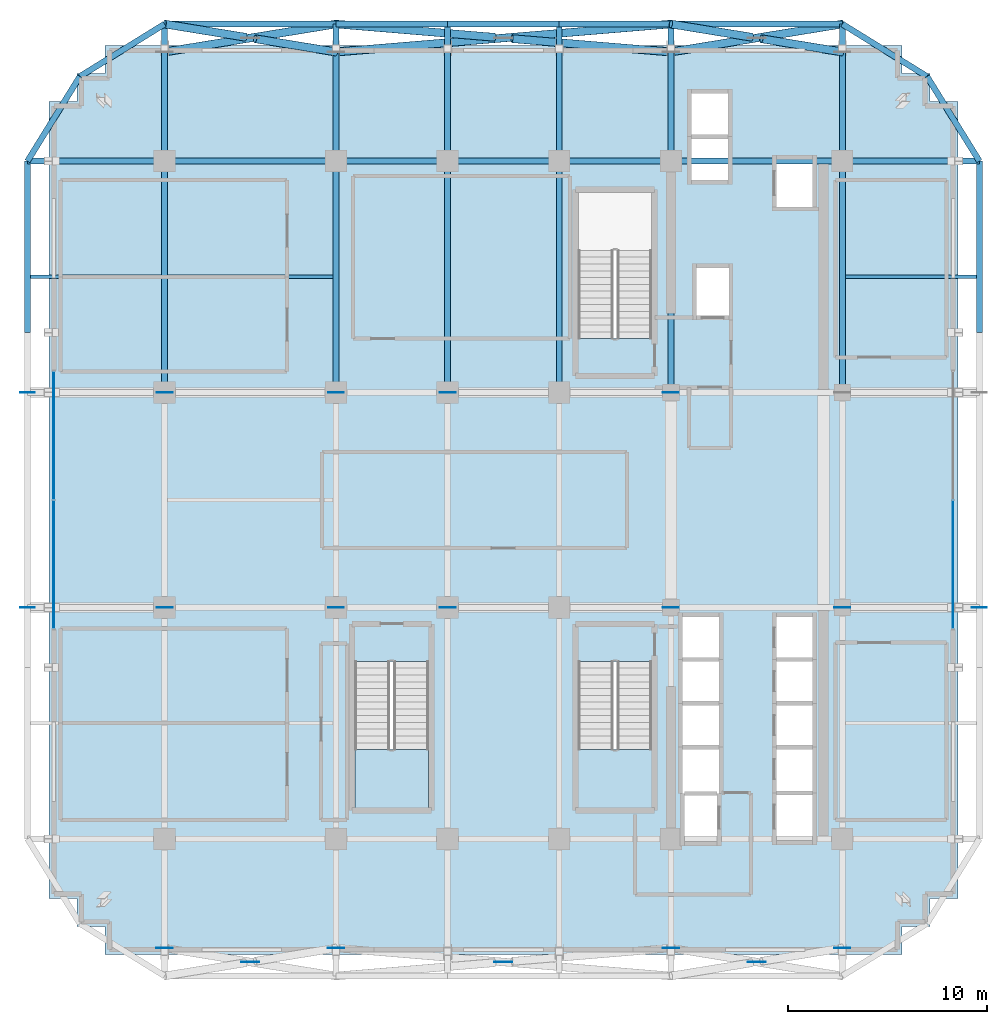
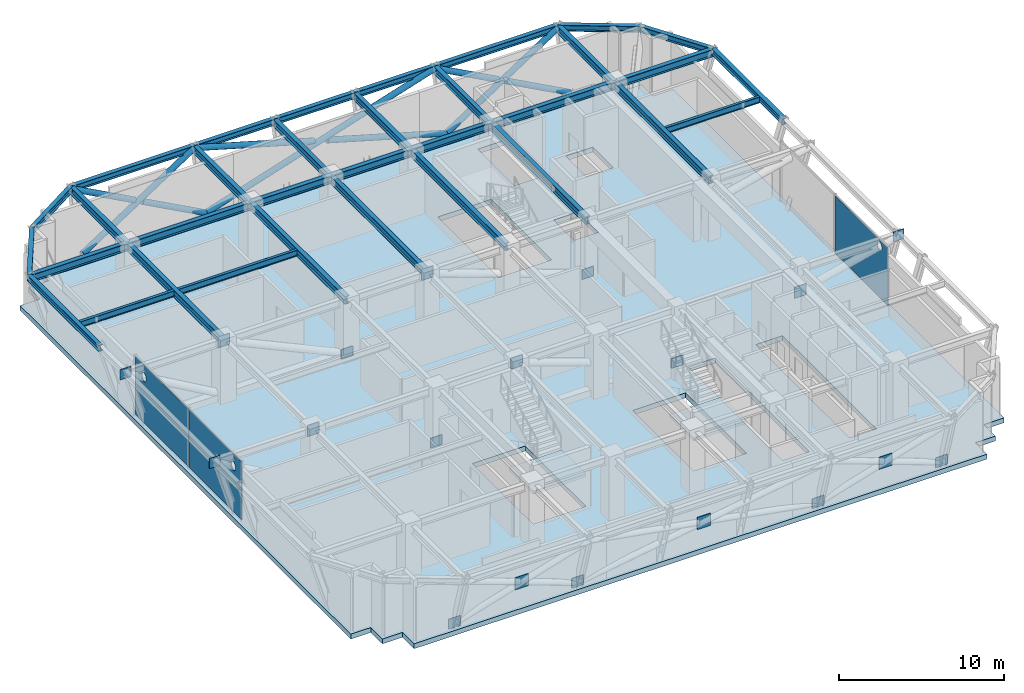
# One storey, part 8 of 16: 33 beams, 22 plates, 9 members, 3 slabs, 4 elements without a shape of their own.
"""IFC4 building model written with IfcOpenShell, lengths in metres."""

from ifc_helpers import new_model, si_unit, direction, frame, origin, origin_2d, place, context, subcontext, project, spatial, polyline, rectangle, hollow_circle, i_section, outline, extrude, source, transform, mapped, material, layer, layer_set, material_profile, profile_set, type_object, element, aggregate, save


model = new_model("IFC4")

# Units and contexts
model_context = context("Model", 3, precision=1e-05, world=origin(), true_north=direction((0.0, 1.0)))
body_context = subcontext(model_context, "Body", "Model", "MODEL_VIEW")
ifc_project = project(units=[si_unit("LENGTHUNIT", "METRE"), si_unit("AREAUNIT", "SQUARE_METRE"), si_unit("VOLUMEUNIT", "CUBIC_METRE"), si_unit("PLANEANGLEUNIT", "RADIAN"), si_unit("MASSUNIT", "GRAM", prefix="KILO")], contexts=[model_context])

# Site, building, storey
site_placement = place(None, origin())
site = spatial("IfcSite", under=ifc_project, at=site_placement, CompositionType="ELEMENT")
building_placement = place(site_placement, origin())
building = spatial("IfcBuilding", under=site, at=building_placement, Name="Nahalor Promenade Grand Hotel", CompositionType="ELEMENT")
storey_placement = place(building_placement, frame((0.0, 0.0, 200.10009765625)))
storey = spatial("IfcBuildingStorey", under=building, at=storey_placement, Name="L51", CompositionType="ELEMENT", Elevation=200.10009765625)

# Beams
ifc_material_1 = material(Name="Steel S355JR", Category="steel")
ifc_material_profile_1 = material_profile(ifc_material_1, i_section(OverallWidth=0.3, OverallDepth=0.55, WebThickness=0.015, FlangeThickness=0.029, at=origin_2d()), Name="HEB 550")
ifc_profile_set_1 = profile_set([ifc_material_profile_1], Name="Steel S355JR")
beam_type_1 = type_object("IfcBeamType", Name="Beam-Girder-HEB550", PredefinedType="BEAM", material=ifc_profile_set_1)
shared_shape_1 = source(origin(), body_context, "Body", "SweptSolid", [
    extrude(i_section(OverallWidth=0.3, OverallDepth=0.55, WebThickness=0.015, FlangeThickness=0.029, at=origin_2d()), origin(), (0.0, 0.0, 1.0), 8.60009765625),
])
for number, where, z_axis, x_axis, name in (
    (1, (-17.0, 17.0, 4.23486328125), (1.0, 0.0, 0.0), (0.0, 1.0, 0.0), "BM-L51-GX-3-1"),
    (2, (8.39990234375, 17.0, 4.23486328125), (1.0, 0.0, 0.0), (0.0, 1.0, 0.0), "BM-L51-GX-3-5"),
):
    element("IfcBeam", number, at=place(storey_placement, frame(where, z_axis=z_axis, x_axis=x_axis)), inside=storey, type_object=beam_type_1, Name=name, PredefinedType="BEAM", context=body_context, shape_type="MappedRepresentation", body=[
        mapped(shared_shape_1, transform((0.0, 0.0, 0.0), scale=1.0)),
    ])
shared_shape_2 = source(origin(), body_context, "Body", "SweptSolid", [
    extrude(i_section(OverallWidth=0.3, OverallDepth=0.55, WebThickness=0.015, FlangeThickness=0.029, at=origin_2d()), origin(), (0.0, 0.0, 1.0), 5.599853515625),
])
for number, where, z_axis, x_axis, name in (
    (3, (-8.39990234375, 17.0, 4.23486328125), (1.0, 0.0, 0.0), (0.0, 1.0, 0.0), "BM-L51-GX-3-2"),
    (4, (2.800048828125, 17.0, 4.23486328125), (1.0, 0.0, 0.0), (0.0, 1.0, 0.0), "BM-L51-GX-3-4"),
):
    element("IfcBeam", number, at=place(storey_placement, frame(where, z_axis=z_axis, x_axis=x_axis)), inside=storey, type_object=beam_type_1, Name=name, PredefinedType="BEAM", context=body_context, shape_type="MappedRepresentation", body=[
        mapped(shared_shape_2, transform((0.0, 0.0, 0.0), scale=1.0)),
    ])
shared_shape_3 = source(origin(), body_context, "Body", "SweptSolid", [
    extrude(i_section(OverallWidth=0.3, OverallDepth=0.55, WebThickness=0.015, FlangeThickness=0.029, at=origin_2d()), origin(), (0.0, 0.0, 1.0), 5.60009765625),
])
beam_1_placement = place(storey_placement, frame((-2.800048828125, 17.0, 4.23486328125), z_axis=(1.0, 0.0, 0.0), x_axis=(0.0, 1.0, 0.0)))
element("IfcBeam", 5, at=beam_1_placement, inside=storey, type_object=beam_type_1, Name="BM-L51-GX-3-3", PredefinedType="BEAM", context=body_context, shape_type="MappedRepresentation", body=[
    mapped(shared_shape_3, transform((0.0, 0.0, 0.0), scale=1.0)),
])
shared_shape_4 = source(origin(), body_context, "Body", "SweptSolid", [
    extrude(i_section(OverallWidth=0.3, OverallDepth=0.55, WebThickness=0.015, FlangeThickness=0.029, at=origin_2d()), origin(), (0.0, 0.0, 1.0), 11.60009765625),
])
for number, where, z_axis, x_axis, name in (
    (6, (-17.0, 5.39990234375, 4.23486328125), (0.0, 1.0, 0.0), (-1.0, 0.0, 0.0), "BM-L51-GY-0-3"),
    (7, (-8.39990234375, 5.39990234375, 4.23486328125), (0.0, 1.0, 0.0), (-1.0, 0.0, 0.0), "BM-L51-GY-1-3"),
    (8, (-2.800048828125, 5.39990234375, 4.23486328125), (0.0, 1.0, 0.0), (-1.0, 0.0, 0.0), "BM-L51-GY-2-3"),
    (9, (2.800048828125, 5.39990234375, 4.23486328125), (0.0, 1.0, 0.0), (-1.0, 0.0, 0.0), "BM-L51-GY-3-3"),
    (10, (8.39990234375, 5.39990234375, 4.23486328125), (0.0, 1.0, 0.0), (-1.0, 0.0, 0.0), "BM-L51-GY-4-3"),
    (11, (17.0, 5.39990234375, 4.23486328125), (0.0, 1.0, 0.0), (-1.0, 0.0, 0.0), "BM-L51-GY-5-3"),
):
    element("IfcBeam", number, at=place(storey_placement, frame(where, z_axis=z_axis, x_axis=x_axis)), inside=storey, type_object=beam_type_1, Name=name, PredefinedType="BEAM", context=body_context, shape_type="MappedRepresentation", body=[
        mapped(shared_shape_4, transform((0.0, 0.0, 0.0), scale=1.0)),
    ])
ifc_material_profile_2 = material_profile(ifc_material_1, i_section(OverallWidth=0.19, OverallDepth=0.45, WebThickness=0.0094, FlangeThickness=0.0146, at=origin_2d()), Name="IPE 450")
ifc_profile_set_2 = profile_set([ifc_material_profile_2], Name="Steel S355JR")
beam_type_2 = type_object("IfcBeamType", Name="Beam-Joist-IPE450", PredefinedType="JOIST", material=ifc_profile_set_2)
shared_shape_5 = source(origin(), body_context, "Body", "SweptSolid", [
    extrude(i_section(OverallWidth=0.19, OverallDepth=0.45, WebThickness=0.0094, FlangeThickness=0.0146, at=origin_2d()), origin(), (0.0, 0.0, 1.0), 8.300048828125),
])
beam_2_placement = place(storey_placement, frame((-16.85009765625, 11.199951171875, 4.284912109375), z_axis=(1.0, 0.0, 0.0), x_axis=(0.0, 1.0, 0.0)))
element("IfcBeam", 12, at=beam_2_placement, inside=storey, type_object=beam_type_2, Name="BM-L51-JSW-1-1", PredefinedType="JOIST", context=body_context, shape_type="MappedRepresentation", body=[
    mapped(shared_shape_5, transform((0.0, 0.0, 0.0), scale=1.0)),
])
ifc_material_profile_3 = material_profile(ifc_material_1, i_section(OverallWidth=0.3, OverallDepth=0.45, WebThickness=0.014, FlangeThickness=0.026, at=origin_2d()), Name="HEB 450")
ifc_profile_set_3 = profile_set([ifc_material_profile_3], Name="Steel S355JR")
beam_type_3 = type_object("IfcBeamType", Name="Beam-Spandrel-HEB450", PredefinedType="SPANDREL", material=ifc_profile_set_3)
shared_shape_6 = source(origin(), body_context, "Body", "SweptSolid", [
    extrude(i_section(OverallWidth=0.3, OverallDepth=0.45, WebThickness=0.014, FlangeThickness=0.026, at=origin_2d()), origin(), (0.0, 0.0, 1.0), 8.60009765625),
])
for number, where, z_axis, x_axis, name in (
    (13, (-17.0, 23.8798828125, 4.284912109375), (1.0, 0.0, 0.0), (0.0, 1.0, 0.0), "BM-L51-SP-N-0"),
    (14, (8.39990234375, 23.8798828125, 4.284912109375), (1.0, 0.0, 0.0), (0.0, 1.0, 0.0), "BM-L51-SP-N-4"),
    (15, (-23.8798828125, 8.39990234375, 4.284912109375), (0.0, 1.0, 0.0), (-1.0, 0.0, 0.0), "BM-L51-SP-W-4"),
    (16, (23.8798828125, 8.39990234375, 4.284912109375), (0.0, 1.0, 0.0), (-1.0, 0.0, 0.0), "BM-L51-SP-E-4"),
):
    element("IfcBeam", number, at=place(storey_placement, frame(where, z_axis=z_axis, x_axis=x_axis)), inside=storey, type_object=beam_type_3, Name=name, PredefinedType="SPANDREL", context=body_context, shape_type="MappedRepresentation", body=[
        mapped(shared_shape_6, transform((0.0, 0.0, 0.0), scale=1.0)),
    ])
shared_shape_7 = source(origin(), body_context, "Body", "SweptSolid", [
    extrude(i_section(OverallWidth=0.3, OverallDepth=0.45, WebThickness=0.014, FlangeThickness=0.026, at=origin_2d()), origin(), (0.0, 0.0, 1.0), 5.599853515625),
])
for number, where, z_axis, x_axis, name in (
    (17, (-8.39990234375, 23.8798828125, 4.284912109375), (1.0, 0.0, 0.0), (0.0, 1.0, 0.0), "BM-L51-SP-N-1"),
    (18, (2.800048828125, 23.8798828125, 4.284912109375), (1.0, 0.0, 0.0), (0.0, 1.0, 0.0), "BM-L51-SP-N-3"),
):
    element("IfcBeam", number, at=place(storey_placement, frame(where, z_axis=z_axis, x_axis=x_axis)), inside=storey, type_object=beam_type_3, Name=name, PredefinedType="SPANDREL", context=body_context, shape_type="MappedRepresentation", body=[
        mapped(shared_shape_7, transform((0.0, 0.0, 0.0), scale=1.0)),
    ])
shared_shape_8 = source(origin(), body_context, "Body", "SweptSolid", [
    extrude(i_section(OverallWidth=0.3, OverallDepth=0.45, WebThickness=0.014, FlangeThickness=0.026, at=origin_2d()), origin(), (0.0, 0.0, 1.0), 5.60009765625),
])
beam_3_placement = place(storey_placement, frame((-2.800048828125, 23.8798828125, 4.284912109375), z_axis=(1.0, 0.0, 0.0), x_axis=(0.0, 1.0, 0.0)))
element("IfcBeam", 19, at=beam_3_placement, inside=storey, type_object=beam_type_3, Name="BM-L51-SP-N-2", PredefinedType="SPANDREL", context=body_context, shape_type="MappedRepresentation", body=[
    mapped(shared_shape_8, transform((0.0, 0.0, 0.0), scale=1.0)),
])
shared_shape_9 = source(origin(), body_context, "Body", "SweptSolid", [
    extrude(i_section(OverallWidth=0.3, OverallDepth=0.55, WebThickness=0.015, FlangeThickness=0.029, at=origin_2d()), origin(), (0.0, 0.0, 1.0), 6.8798828125),
])
for number, where, z_axis, x_axis, name in (
    (20, (-23.8798828125, 17.0, 4.23486328125), (1.0, 0.0, 0.0), (0.0, 1.0, 0.0), "BM-L51-GX-3-0"),
    (21, (17.0, 17.0, 4.23486328125), (1.0, 0.0, 0.0), (0.0, 1.0, 0.0), "BM-L51-GX-3-6"),
    (22, (-17.0, 17.0, 4.23486328125), (0.0, 1.0, 0.0), (-1.0, 0.0, 0.0), "BM-L51-GY-0-4"),
    (23, (-8.39990234375, 17.0, 4.23486328125), (0.0, 1.0, 0.0), (-1.0, 0.0, 0.0), "BM-L51-GY-1-4"),
    (24, (-2.800048828125, 17.0, 4.23486328125), (0.0, 1.0, 0.0), (-1.0, 0.0, 0.0), "BM-L51-GY-2-4"),
    (25, (2.800048828125, 17.0, 4.23486328125), (0.0, 1.0, 0.0), (-1.0, 0.0, 0.0), "BM-L51-GY-3-4"),
    (26, (8.39990234375, 17.0, 4.23486328125), (0.0, 1.0, 0.0), (-1.0, 0.0, 0.0), "BM-L51-GY-4-4"),
    (27, (17.0, 17.0, 4.23486328125), (0.0, 1.0, 0.0), (-1.0, 0.0, 0.0), "BM-L51-GY-5-4"),
):
    element("IfcBeam", number, at=place(storey_placement, frame(where, z_axis=z_axis, x_axis=x_axis)), inside=storey, type_object=beam_type_1, Name=name, PredefinedType="BEAM", context=body_context, shape_type="MappedRepresentation", body=[
        mapped(shared_shape_9, transform((0.0, 0.0, 0.0), scale=1.0)),
    ])
shared_shape_10 = source(origin(), body_context, "Body", "SweptSolid", [
    extrude(i_section(OverallWidth=0.3, OverallDepth=0.45, WebThickness=0.014, FlangeThickness=0.026, at=origin_2d()), origin(), (0.0, 0.0, 1.0), 4.997802734375),
])
for number, where, z_axis, x_axis, name in (
    (28, (-17.0, 23.8798828125, 4.284912109375), (-0.850360908404, -0.526199891161, 0.0), (0.526199891161, -0.850360908404, 0.0), "BM-L51-SPC-NW-1"),
    (29, (-21.25, 21.25, 4.284912109375), (-0.526199891161, -0.850360908404, 0.0), (0.850360908404, -0.526199891161, 0.0), "BM-L51-SPC-NW-2"),
    (30, (17.0, 23.8798828125, 4.284912109375), (0.850360908404, -0.526199891161, 0.0), (0.526199891161, 0.850360908404, 0.0), "BM-L51-SPC-NE-1"),
    (31, (21.25, 21.25, 4.284912109375), (0.526199891161, -0.850360908404, 0.0), (0.850360908404, 0.526199891161, 0.0), "BM-L51-SPC-NE-2"),
):
    element("IfcBeam", number, at=place(storey_placement, frame(where, z_axis=z_axis, x_axis=x_axis)), inside=storey, type_object=beam_type_3, Name=name, PredefinedType="SPANDREL", context=body_context, shape_type="MappedRepresentation", body=[
        mapped(shared_shape_10, transform((0.0, 0.0, 0.0), scale=1.0)),
    ])
shared_shape_11 = source(origin(), body_context, "Body", "SweptSolid", [
    extrude(i_section(OverallWidth=0.19, OverallDepth=0.45, WebThickness=0.0094, FlangeThickness=0.0146, at=origin_2d()), origin(), (0.0, 0.0, 1.0), 6.580078125),
])
for number, where, z_axis, x_axis, name in (
    (32, (-23.72998046875, 11.199951171875, 4.284912109375), (1.0, 0.0, 0.0), (0.0, 1.0, 0.0), "BM-L51-JSW-1-0"),
    (33, (17.14990234375, 11.199951171875, 4.284912109375), (1.0, 0.0, 0.0), (0.0, 1.0, 0.0), "BM-L51-JSE-1-2"),
):
    element("IfcBeam", number, at=place(storey_placement, frame(where, z_axis=z_axis, x_axis=x_axis)), inside=storey, type_object=beam_type_2, Name=name, PredefinedType="JOIST", context=body_context, shape_type="MappedRepresentation", body=[
        mapped(shared_shape_11, transform((0.0, 0.0, 0.0), scale=1.0)),
    ])

# Members
ifc_material_2 = material(Name="Steel S355J2", Category="steel")
ifc_material_profile_4 = material_profile(ifc_material_2, hollow_circle(Radius=0.2032, WallThickness=0.02, at=origin_2d()), Name="CHS 406.4x20")
ifc_profile_set_4 = profile_set([ifc_material_profile_4], Name="Steel S355J2")
member_type = type_object("IfcMemberType", Name="Mem-BeltDiag-CHS406", PredefinedType="BRACE", material=ifc_profile_set_4)
shared_shape_12 = source(origin(), body_context, "Body", "SweptSolid", [
    extrude(hollow_circle(Radius=0.2032, WallThickness=0.02, at=origin_2d()), origin(), (0.0, 0.0, 1.0), 9.56689453125),
])
for number, where, z_axis, x_axis, name in (
    (34, (-17.0, 22.47998046875, 0.2998046875), (0.898943606777, 0.146327787465, 0.412902616183), (-0.160662906265, 0.987009336607, 0.0), "BT-L51-N-D1-0"),
    (35, (8.39990234375, 22.47998046875, 0.2998046875), (0.898943606777, 0.146327787465, 0.412902616183), (-0.160662906265, 0.987009336607, 0.0), "BT-L51-N-D1-2"),
):
    element("IfcMember", number, at=place(storey_placement, frame(where, z_axis=z_axis, x_axis=x_axis)), inside=storey, type_object=member_type, Name=name, PredefinedType="BRACE", context=body_context, shape_type="MappedRepresentation", body=[
        mapped(shared_shape_12, transform((0.0, 0.0, 0.0), scale=1.0)),
    ])
shared_shape_13 = source(origin(), body_context, "Body", "SweptSolid", [
    extrude(hollow_circle(Radius=0.2032, WallThickness=0.02, at=origin_2d()), origin(), (0.0, 0.0, 1.0), 4.512451171875),
])
for number, where, z_axis, x_axis, name in (
    (36, (-8.39990234375, 22.47998046875, 0.2998046875), (-0.898932333488, 0.146350403977, 0.412919143496), (-0.1606890604, -0.987005078947, 0.0), "BT-L51-N-D2-0A"),
    (37, (-12.943603515625, 23.2197265625, 2.38671875), (-0.898939450086, 0.146297458503, 0.412922412462), (-0.160631188994, -0.987014498942, 0.0), "BT-L51-N-D2-0B"),
    (38, (17.0, 22.47998046875, 0.2998046875), (-0.898932333488, 0.146350403977, 0.412919143496), (-0.1606890604, -0.987005078947, 0.0), "BT-L51-N-D2-2A"),
    (39, (12.456298828125, 23.2197265625, 2.38671875), (-0.898939450086, 0.146297458503, 0.412922412462), (-0.160631188994, -0.987014498942, 0.0), "BT-L51-N-D2-2B"),
):
    element("IfcMember", number, at=place(storey_placement, frame(where, z_axis=z_axis, x_axis=x_axis)), inside=storey, type_object=member_type, Name=name, PredefinedType="BRACE", context=body_context, shape_type="MappedRepresentation", body=[
        mapped(shared_shape_13, transform((0.0, 0.0, 0.0), scale=1.0)),
    ])
shared_shape_14 = source(origin(), body_context, "Body", "SweptSolid", [
    extrude(hollow_circle(Radius=0.2032, WallThickness=0.02, at=origin_2d()), origin(), (0.0, 0.0, 1.0), 17.314697265625),
])
member_placement = place(storey_placement, frame((-8.39990234375, 22.47998046875, 0.2998046875), z_axis=(0.970265169423, 0.080850730708, 0.228141754945), x_axis=(-0.08304068576, 0.996546157741, 0.0)))
element("IfcMember", 40, at=member_placement, inside=storey, type_object=member_type, Name="BT-L51-N-D1-1", PredefinedType="BRACE", context=body_context, shape_type="MappedRepresentation", body=[
    mapped(shared_shape_14, transform((0.0, 0.0, 0.0), scale=1.0)),
])
shared_shape_15 = source(origin(), body_context, "Body", "SweptSolid", [
    extrude(hollow_circle(Radius=0.2032, WallThickness=0.02, at=origin_2d()), origin(), (0.0, 0.0, 1.0), 8.2109375),
])
for number, where, z_axis, x_axis, name in (
    (41, (8.39990234375, 22.47998046875, 0.2998046875), (-0.970264744525, 0.080845484198, 0.228145421204), (-0.083035370408, -0.996546600647, 0.0), "BT-L51-N-D2-1A"),
    (42, (-0.43310546875, 23.216064453125, 2.376708984375), (-0.970264744525, 0.080845484198, 0.228145421204), (-0.083035370408, -0.996546600647, 0.0), "BT-L51-N-D2-1B"),
):
    element("IfcMember", number, at=place(storey_placement, frame(where, z_axis=z_axis, x_axis=x_axis)), inside=storey, type_object=member_type, Name=name, PredefinedType="BRACE", context=body_context, shape_type="MappedRepresentation", body=[
        mapped(shared_shape_15, transform((0.0, 0.0, 0.0), scale=1.0)),
    ])

# Curtain wall, plates
ifc_material_3 = material(Name="Anodised Bronze Aluminium EN AW-6063 T6", Category="aluminium")
curtain_wall_type = type_object("IfcCurtainWallType", Name="CW6 Crown Botanical Conservatory Curtain Wall", PredefinedType="USERDEFINED", material=ifc_material_3)
curtain_wall_1_placement = place(storey_placement, origin())
curtain_wall_1 = element("IfcCurtainWall", 43, at=curtain_wall_1_placement, inside=storey, type_object=curtain_wall_type, Name="L51 Curtain Wall CW-L51-W", ObjectType="UNITISED_CURTAIN_WALL", PredefinedType="USERDEFINED")
ifc_material_4 = material(Name="Low-E Laminated Solar Glass", Category="glass")
ifc_layer_1 = layer(ifc_material_4, 0.033935546875)
ifc_layer_set_1 = layer_set([ifc_layer_1], Name="Low-E Laminated Solar Glass")
plate_type_1 = type_object("IfcPlateType", Name="CWP6 Conservatory Solar-Select IGU 34mm", PredefinedType="CURTAIN_PANEL", material=ifc_layer_set_1)
plate_1_placement = place(storey_placement, frame((-22.56005859375, -3.231201171875, 0.134765625), z_axis=(0.0, 0.0, 1.0), x_axis=(0.0, 1.0, 0.0)))
plate_1 = element("IfcPlate", 44, at=plate_1_placement, type_object=plate_type_1, Name="CW-L51-W Glazing Panel 0-0", PredefinedType="CURTAIN_PANEL", context=body_context, shape_type="SweptSolid", body=[
    extrude(outline(polyline([(-3.19384765625, 4.239990234375), (-3.19384765625, 0.0), (3.19384765625, 0.0), (3.19384765625, 4.239990234375), (-3.19384765625, 4.239990234375)]), holes=[polyline([(-2.026611328125, 3.070556640625), (-2.094970703125, 3.037841796875), (-2.168701171875, 3.026611328125), (-2.242431640625, 3.037841796875), (-2.310791015625, 3.070556640625), (-2.368896484375, 3.121826171875), (-2.4130859375, 3.1884765625), (-2.440673828125, 3.26513671875), (-2.449951171875, 3.345947265625), (-2.449951171875, 3.368408203125), (-2.440673828125, 3.448974609375), (-2.4130859375, 3.52587890625), (-2.368896484375, 3.59228515625), (-2.310791015625, 3.643798828125), (-2.242431640625, 3.676513671875), (-2.168701171875, 3.6875), (-2.094970703125, 3.676513671875), (-2.026611328125, 3.643798828125), (-1.968505859375, 3.59228515625), (-1.92431640625, 3.52587890625), (-1.896728515625, 3.448974609375), (-1.887451171875, 3.368408203125), (-1.887451171875, 3.345947265625), (-1.896728515625, 3.26513671875), (-1.92431640625, 3.1884765625), (-1.968505859375, 3.121826171875), (-2.026611328125, 3.070556640625)])]), frame((0.0, 0.01708984375, 0.0), z_axis=(0.0, -1.0, 0.0), x_axis=(1.0, 0.0, 0.0)), (0.0, 0.0, 1.0), 0.033935546875),
])
plate_2_placement = place(storey_placement, frame((-22.56005859375, 3.231201171875, 0.134765625), z_axis=(0.0, 0.0, 1.0), x_axis=(0.0, 1.0, 0.0)))
plate_2 = element("IfcPlate", 45, at=plate_2_placement, type_object=plate_type_1, Name="CW-L51-W Glazing Panel 1-0", PredefinedType="CURTAIN_PANEL", context=body_context, shape_type="SweptSolid", body=[
    extrude(outline(polyline([(-3.19384765625, 4.239990234375), (-3.19384765625, 0.0), (3.19384765625, 0.0), (3.19384765625, 4.239990234375), (-3.19384765625, 4.239990234375)]), holes=[polyline([(2.310791015625, 3.070556640625), (2.242431640625, 3.037841796875), (2.168701171875, 3.026611328125), (2.094970703125, 3.037841796875), (2.026611328125, 3.070556640625), (1.968505859375, 3.121826171875), (1.92431640625, 3.1884765625), (1.896728515625, 3.26513671875), (1.887451171875, 3.345947265625), (1.887451171875, 3.368408203125), (1.896728515625, 3.448974609375), (1.92431640625, 3.52587890625), (1.968505859375, 3.59228515625), (2.026611328125, 3.643798828125), (2.094970703125, 3.676513671875), (2.168701171875, 3.6875), (2.242431640625, 3.676513671875), (2.310791015625, 3.643798828125), (2.368896484375, 3.59228515625), (2.4130859375, 3.52587890625), (2.440673828125, 3.448974609375), (2.449951171875, 3.368408203125), (2.449951171875, 3.345947265625), (2.440673828125, 3.26513671875), (2.4130859375, 3.1884765625), (2.368896484375, 3.121826171875), (2.310791015625, 3.070556640625)])]), frame((0.0, 0.01708984375, 0.0), z_axis=(0.0, -1.0, 0.0), x_axis=(1.0, 0.0, 0.0)), (0.0, 0.0, 1.0), 0.033935546875),
])
aggregate(curtain_wall_1, [plate_1, plate_2])

# Curtain wall, plate
curtain_wall_2_placement = place(storey_placement, origin())
curtain_wall_2 = element("IfcCurtainWall", 46, at=curtain_wall_2_placement, inside=storey, type_object=curtain_wall_type, Name="L51 Curtain Wall CW-L51-E", ObjectType="UNITISED_CURTAIN_WALL", PredefinedType="USERDEFINED")
plate_3_placement = place(storey_placement, frame((22.56005859375, -3.231201171875, 0.134765625), z_axis=(0.0, 0.0, 1.0), x_axis=(0.0, 1.0, 0.0)))
plate_3 = element("IfcPlate", 47, at=plate_3_placement, type_object=plate_type_1, Name="CW-L51-E Glazing Panel 0-0", PredefinedType="CURTAIN_PANEL", context=body_context, shape_type="SweptSolid", body=[
    extrude(outline(polyline([(-3.19384765625, 4.239990234375), (-3.19384765625, 0.0), (3.19384765625, 0.0), (3.19384765625, 4.239990234375), (-3.19384765625, 4.239990234375)]), holes=[polyline([(-2.02783203125, 3.534423828125), (-2.095703125, 3.50537109375), (-2.168701171875, 3.49560546875), (-2.24169921875, 3.50537109375), (-2.309814453125, 3.534423828125), (-2.367919921875, 3.58056640625), (-2.41259765625, 3.640380859375), (-2.440673828125, 3.7099609375), (-2.449951171875, 3.782958984375), (-2.449951171875, 3.794677734375), (-2.440673828125, 3.86767578125), (-2.41259765625, 3.937255859375), (-2.367919921875, 3.997314453125), (-2.309814453125, 4.043212890625), (-2.24169921875, 4.072265625), (-2.168701171875, 4.082275390625), (-2.095703125, 4.072265625), (-2.02783203125, 4.043212890625), (-1.969482421875, 3.997314453125), (-1.9248046875, 3.937255859375), (-1.89697265625, 3.86767578125), (-1.887451171875, 3.794677734375), (-1.887451171875, 3.782958984375), (-1.89697265625, 3.7099609375), (-1.9248046875, 3.640380859375), (-1.969482421875, 3.58056640625), (-2.02783203125, 3.534423828125)])]), frame((0.0, 0.01708984375, 0.0), z_axis=(0.0, -1.0, 0.0), x_axis=(1.0, 0.0, 0.0)), (0.0, 0.0, 1.0), 0.033935546875),
])
aggregate(curtain_wall_2, [plate_3])

# Stair, slab
ifc_material_5 = material(Name="Concrete B-50 (C40/50)", Category="concrete")
stair_type_1 = type_object("IfcStairType", Name="Stair-ST2", PredefinedType="HALF_TURN_STAIR", material=ifc_material_5)
stair_1_placement = place(storey_placement, origin())
stair_1 = element("IfcStair", 48, at=stair_1_placement, inside=storey, type_object=stair_type_1, Name="L51 ST2", PredefinedType="HALF_TURN_STAIR")
ifc_layer_2 = layer(ifc_material_5, 0.2099609375)
ifc_layer_set_2 = layer_set([ifc_layer_2], Name="Concrete B-50 (C40/50)")
slab_type_1 = type_object("IfcSlabType", Name="Landing-ST2", PredefinedType="LANDING", material=ifc_layer_set_2)
slab_1_placement = place(storey_placement, frame((0.0, 0.0, 2.18994140625)))
slab_1 = element("IfcSlab", 49, at=slab_1_placement, type_object=slab_type_1, Name="ST2 landing 1", PredefinedType="LANDING", context=body_context, shape_type="SweptSolid", body=[
    extrude(outline(polyline([(3.75, -12.52001953125), (3.75, -15.449951171875), (7.449951171875, -15.449951171875), (7.449951171875, -12.52001953125), (3.75, -12.52001953125)])), origin(), (0.0, 0.0, 1.0), 0.2099609375),
])
aggregate(stair_1, [slab_1])

stair_type_2 = type_object("IfcStairType", Name="Stair-ST3", PredefinedType="HALF_TURN_STAIR", material=ifc_material_5)
stair_2_placement = place(storey_placement, origin())
stair_2 = element("IfcStair", 50, at=stair_2_placement, inside=storey, type_object=stair_type_2, Name="L51 ST3", PredefinedType="HALF_TURN_STAIR")
ifc_layer_3 = layer(ifc_material_5, 0.219970703125)
ifc_layer_set_3 = layer_set([ifc_layer_3], Name="Concrete B-50 (C40/50)")
slab_type_2 = type_object("IfcSlabType", Name="Landing-ST3", PredefinedType="LANDING", material=ifc_layer_set_3)
slab_2_placement = place(storey_placement, frame((0.0, 0.0, 2.179931640625)))
slab_2 = element("IfcSlab", 51, at=slab_2_placement, type_object=slab_type_2, Name="ST3 landing 1", PredefinedType="LANDING", context=body_context, shape_type="SweptSolid", body=[
    extrude(outline(polyline([(-7.449951171875, -12.52001953125), (-7.449951171875, -15.449951171875), (-3.75, -15.449951171875), (-3.75, -12.52001953125), (-7.449951171875, -12.52001953125)])), origin(), (0.0, 0.0, 1.0), 0.219970703125),
])
aggregate(stair_2, [slab_2])

# Slab
ifc_material_6 = material(Name="Concrete B-60 (C50/60)", Category="concrete")
ifc_layer_4 = layer(ifc_material_6, 0.360107421875)
ifc_layer_set_4 = layer_set([ifc_layer_4], Name="Concrete B-60 (C50/60)")
slab_type_3 = type_object("IfcSlabType", Name="Slab-Refuge-360", PredefinedType="FLOOR", material=ifc_layer_set_4)
slab_3_placement = place(storey_placement, frame((0.0, 0.0, -0.360107421875)))
element("IfcSlab", 52, at=slab_3_placement, inside=storey, type_object=slab_type_3, Name="L51 Suspended Structural Floor Slab", PredefinedType="FLOOR", context=body_context, shape_type="SweptSolid", body=[
    extrude(outline(polyline([(-20.0, -22.800048828125), (20.0, -22.800048828125), (20.0, -21.39990234375), (21.39990234375, -21.39990234375), (21.39990234375, -20.0), (22.800048828125, -20.0), (22.800048828125, 20.0), (21.39990234375, 20.0), (21.39990234375, 21.39990234375), (20.0, 21.39990234375), (20.0, 22.800048828125), (-20.0, 22.800048828125), (-20.0, 21.39990234375), (-21.39990234375, 21.39990234375), (-21.39990234375, 20.0), (-22.800048828125, 20.0), (-22.800048828125, -20.0), (-21.39990234375, -20.0), (-21.39990234375, -21.39990234375), (-20.0, -21.39990234375), (-20.0, -22.800048828125)]), holes=[polyline([(3.75, 8.10009765625), (7.449951171875, 8.10009765625), (7.449951171875, 15.449951171875), (3.75, 15.449951171875), (3.75, 8.10009765625)]), polyline([(3.75, -15.449951171875), (7.449951171875, -15.449951171875), (7.449951171875, -8.10009765625), (3.75, -8.10009765625), (3.75, -15.449951171875)]), polyline([(-7.449951171875, -15.449951171875), (-3.75, -15.449951171875), (-3.75, -8.10009765625), (-7.449951171875, -8.10009765625), (-7.449951171875, -15.449951171875)]), polyline([(13.659912109375, -17.139892578125), (15.5400390625, -17.139892578125), (15.5400390625, -5.81005859375), (13.659912109375, -5.81005859375), (13.659912109375, -17.139892578125)]), polyline([(8.9599609375, -17.18994140625), (10.840087890625, -17.18994140625), (10.840087890625, -5.81005859375), (8.9599609375, -5.81005859375), (8.9599609375, -17.18994140625)]), polyline([(9.409912109375, 16.010009765625), (11.2900390625, 16.010009765625), (11.2900390625, 20.43994140625), (9.409912109375, 20.43994140625), (9.409912109375, 16.010009765625)]), polyline([(9.659912109375, 9.2099609375), (11.340087890625, 9.2099609375), (11.340087890625, 11.68994140625), (9.659912109375, 11.68994140625), (9.659912109375, 9.2099609375)]), polyline([(13.659912109375, 14.659912109375), (15.5400390625, 14.659912109375), (15.5400390625, 17.139892578125), (13.659912109375, 17.139892578125), (13.659912109375, 14.659912109375)])]), origin(), (0.0, 0.0, 1.0), 0.360107421875),
])

# Plates
ifc_layer_5 = layer(ifc_material_2, 0.035888671875)
ifc_layer_set_5 = layer_set([ifc_layer_5], Name="Steel S355J2")
plate_type_2 = type_object("IfcPlateType", Name="Plate-CrossGusset-36", PredefinedType="USERDEFINED", material=ifc_layer_set_5)
shared_shape_16 = source(origin(), body_context, "Body", "SweptSolid", [
    extrude(rectangle(XDim=0.89990234375, YDim=0.035888671875, at=origin_2d()), origin(), (0.0, 0.0, 1.0), 0.89990234375),
])
for number, where, z_axis, x_axis, name in (
    (53, (-12.699951171875, -23.179931640625, 1.824951171875), (0.0, 0.0, 1.0), (1.0, 0.0, 0.0), "PL-L51-BTX-S-0"),
    (54, (0.0, -23.179931640625, 1.824951171875), (0.0, 0.0, 1.0), (1.0, 0.0, 0.0), "PL-L51-BTX-S-1"),
    (55, (12.699951171875, -23.179931640625, 1.824951171875), (0.0, 0.0, 1.0), (1.0, 0.0, 0.0), "PL-L51-BTX-S-2"),
):
    element("IfcPlate", number, at=place(storey_placement, frame(where, z_axis=z_axis, x_axis=x_axis)), inside=storey, type_object=plate_type_2, Name=name, ObjectType="GUSSET_PLATE", PredefinedType="USERDEFINED", context=body_context, shape_type="MappedRepresentation", body=[
        mapped(shared_shape_16, transform((0.0, 0.0, 0.0), scale=1.0)),
    ])
ifc_layer_6 = layer(ifc_material_2, 0.031982421875)
ifc_layer_set_6 = layer_set([ifc_layer_6], Name="Steel S355J2")
plate_type_3 = type_object("IfcPlateType", Name="Plate-Gusset-32", PredefinedType="USERDEFINED", material=ifc_layer_set_6)
shared_shape_17 = source(origin(), body_context, "Body", "SweptSolid", [
    extrude(rectangle(XDim=0.800048828125, YDim=0.031982421875, at=origin_2d()), origin(), (0.0, 0.0, 1.0), 0.800048828125),
])
for number, where, z_axis, x_axis, name in (
    (56, (8.39990234375, -5.39990234375, -0.10009765625), (0.0, 0.0, 1.0), (1.0, 0.0, 0.0), "PL-L51-OU-1-1"),
    (57, (-2.800048828125, -5.39990234375, 3.85009765625), (0.0, 0.0, 1.0), (1.0, 0.0, 0.0), "PL-L51-OU-1-2"),
    (58, (-8.39990234375, -5.39990234375, -0.10009765625), (0.0, 0.0, 1.0), (1.0, 0.0, 0.0), "PL-L51-OU-1-3"),
    (59, (-17.0, -5.39990234375, 3.85009765625), (0.0, 0.0, 1.0), (1.0, 0.0, 0.0), "PL-L51-OU-1-4"),
    (60, (17.0, -5.39990234375, 2.14990234375), (0.0, 0.0, 1.0), (1.0, 0.0, 0.0), "PL-L51-OU-1-6"),
    (61, (8.39990234375, 5.39990234375, -0.10009765625), (0.0, 0.0, 1.0), (1.0, 0.0, 0.0), "PL-L51-OU-2-1"),
    (62, (-2.800048828125, 5.39990234375, 3.85009765625), (0.0, 0.0, 1.0), (1.0, 0.0, 0.0), "PL-L51-OU-2-2"),
    (63, (-8.39990234375, 5.39990234375, -0.10009765625), (0.0, 0.0, 1.0), (1.0, 0.0, 0.0), "PL-L51-OU-2-3"),
    (64, (-17.0, 5.39990234375, 3.85009765625), (0.0, 0.0, 1.0), (1.0, 0.0, 0.0), "PL-L51-OU-2-4"),
):
    element("IfcPlate", number, at=place(storey_placement, frame(where, z_axis=z_axis, x_axis=x_axis)), inside=storey, type_object=plate_type_3, Name=name, ObjectType="GUSSET_PLATE", PredefinedType="USERDEFINED", context=body_context, shape_type="MappedRepresentation", body=[
        mapped(shared_shape_17, transform((0.0, 0.0, 0.0), scale=1.0)),
    ])
ifc_layer_7 = layer(ifc_material_1, 0.028076171875)
ifc_layer_set_7 = layer_set([ifc_layer_7], Name="Steel S355JR")
plate_type_4 = type_object("IfcPlateType", Name="Plate-Gusset-28", PredefinedType="USERDEFINED", material=ifc_layer_set_7)
shared_shape_18 = source(origin(), body_context, "Body", "SweptSolid", [
    extrude(rectangle(XDim=0.75, YDim=0.028076171875, at=origin_2d()), origin(), (0.0, 0.0, 1.0), 0.75),
])
for number, where, z_axis, x_axis, name in (
    (65, (-23.8798828125, -5.39990234375, 3.875), (0.0, 0.0, 1.0), (1.0, 0.0, 0.0), "PL-L51-OU-1-5"),
    (66, (23.8798828125, -5.39990234375, 3.875), (0.0, 0.0, 1.0), (1.0, 0.0, 0.0), "PL-L51-OU-1-7"),
    (67, (-23.8798828125, 5.39990234375, 3.875), (0.0, 0.0, 1.0), (1.0, 0.0, 0.0), "PL-L51-OU-2-5"),
):
    element("IfcPlate", number, at=place(storey_placement, frame(where, z_axis=z_axis, x_axis=x_axis)), inside=storey, type_object=plate_type_4, Name=name, ObjectType="GUSSET_PLATE", PredefinedType="USERDEFINED", context=body_context, shape_type="MappedRepresentation", body=[
        mapped(shared_shape_18, transform((0.0, 0.0, 0.0), scale=1.0)),
    ])
ifc_layer_8 = layer(ifc_material_2, 0.031982421875)
ifc_layer_set_8 = layer_set([ifc_layer_8], Name="Steel S355J2")
plate_type_5 = type_object("IfcPlateType", Name="Plate-BeltGusset-32", PredefinedType="USERDEFINED", material=ifc_layer_set_8)
shared_shape_19 = source(origin(), body_context, "Body", "SweptSolid", [
    extrude(rectangle(XDim=0.820068359375, YDim=0.031982421875, at=origin_2d()), origin(), (0.0, 0.0, 1.0), 0.820068359375),
])
for number, where, z_axis, x_axis, name in (
    (68, (-17.0, -22.47998046875, -0.1103515625), (0.0, 0.0, 1.0), (1.0, 0.0, 0.0), "PL-L51-BELT-S-1"),
    (69, (-8.39990234375, -22.47998046875, -0.1103515625), (0.0, 0.0, 1.0), (1.0, 0.0, 0.0), "PL-L51-BELT-S-2"),
    (70, (8.39990234375, -22.47998046875, -0.1103515625), (0.0, 0.0, 1.0), (1.0, 0.0, 0.0), "PL-L51-BELT-S-3"),
    (71, (17.0, -22.47998046875, -0.1103515625), (0.0, 0.0, 1.0), (1.0, 0.0, 0.0), "PL-L51-BELT-S-4"),
):
    element("IfcPlate", number, at=place(storey_placement, frame(where, z_axis=z_axis, x_axis=x_axis)), inside=storey, type_object=plate_type_5, Name=name, ObjectType="GUSSET_PLATE", PredefinedType="USERDEFINED", context=body_context, shape_type="MappedRepresentation", body=[
        mapped(shared_shape_19, transform((0.0, 0.0, 0.0), scale=1.0)),
    ])

save(model, "model.ifc")
